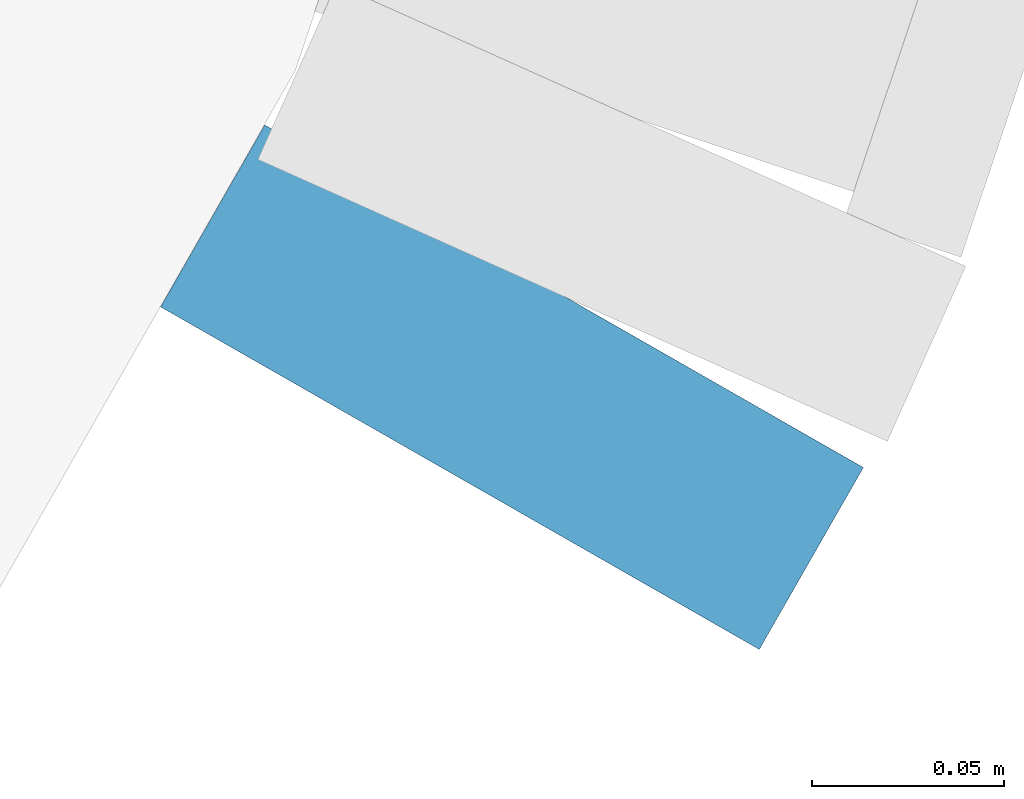
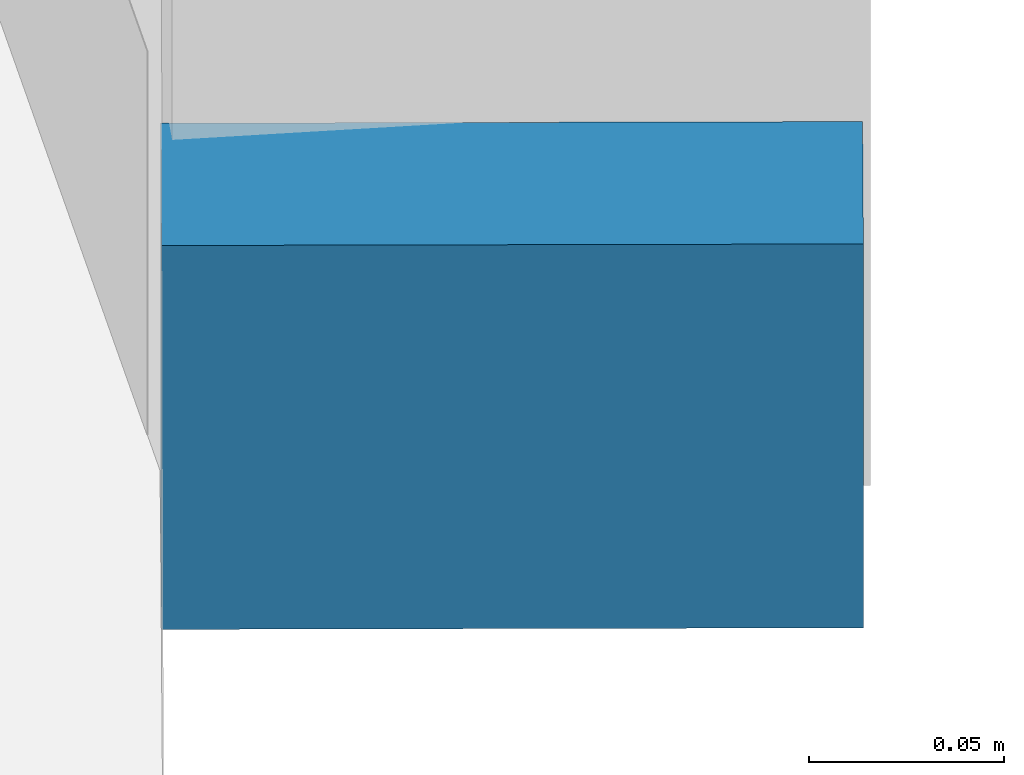
# One storey, part 16 of 32: 1 member, 1 element without a shape of its own.
"""IFC4 building model written with IfcOpenShell, lengths in metres."""

from ifc_helpers import new_model, si_unit, direction, frame, origin, origin_2d, place, context, subcontext, project, spatial, rectangle, extrude, material, material_profile, profile_set, type_object, element, aggregate, save


model = new_model("IFC4")

# Units and contexts
model_context = context("Model", 3, precision=1e-05, world=origin(), true_north=direction((0.0, 1.0)))
body_context = subcontext(model_context, "Body", "Model", "MODEL_VIEW")
ifc_project = project(units=[si_unit("LENGTHUNIT", "METRE"), si_unit("AREAUNIT", "SQUARE_METRE"), si_unit("VOLUMEUNIT", "CUBIC_METRE"), si_unit("PLANEANGLEUNIT", "RADIAN"), si_unit("MASSUNIT", "GRAM", prefix="KILO")], contexts=[model_context])

# Site, building, storey
site_placement = place(None, origin())
site = spatial("IfcSite", under=ifc_project, at=site_placement, CompositionType="ELEMENT")
building_placement = place(site_placement, origin())
building = spatial("IfcBuilding", under=site, at=building_placement, Name="Orlundy Tower", CompositionType="ELEMENT")
storey_placement = place(building_placement, frame((0.0, 0.0, 152.60009765625)))
storey = spatial("IfcBuildingStorey", under=building, at=storey_placement, Name="L39", CompositionType="ELEMENT", Elevation=152.60009765625)

# Curtain wall, member
ifc_material_1 = material(Name="Aluminium bronze anodised", Category="aluminium")
curtain_wall_type = type_object("IfcCurtainWallType", Name="CW1 wall", PredefinedType="NOTDEFINED", material=ifc_material_1)
curtain_wall_placement = place(storey_placement, origin())
curtain_wall = element("IfcCurtainWall", 1, at=curtain_wall_placement, inside=storey, type_object=curtain_wall_type, Name="CW1 run 03", PredefinedType="NOTDEFINED")
ifc_material_2 = material(Name="Aluminium bronze anodised", Category="aluminium")
ifc_material_profile = material_profile(ifc_material_2, rectangle(XDim=0.179931640625, YDim=0.1201171875, at=origin_2d()), Name="CW1 transom 180x120")
ifc_profile_set = profile_set([ifc_material_profile], Name="Aluminium bronze anodised")
member_type = type_object("IfcMemberType", Name="CW1 transom 180x120", PredefinedType="USERDEFINED", material=ifc_profile_set)
member_placement = place(storey_placement, frame((3.171142578125, -53.82080078125, -0.340087890625), z_axis=(-0.496620683831, -0.867967681651, 0.0), x_axis=(0.867967681651, -0.496620683831, 0.0)))
member = element("IfcMember", 2, at=member_placement, type_object=member_type, Name="CW1 transom", ObjectType="TRANSOM", PredefinedType="USERDEFINED", context=body_context, shape_type="SweptSolid", body=[
    extrude(rectangle(XDim=0.179931640625, YDim=0.1201171875, at=origin_2d()), origin(), (0.0, 0.0, 1.0), 0.0546875),
])
aggregate(curtain_wall, [member])

save(model, "model.ifc")
